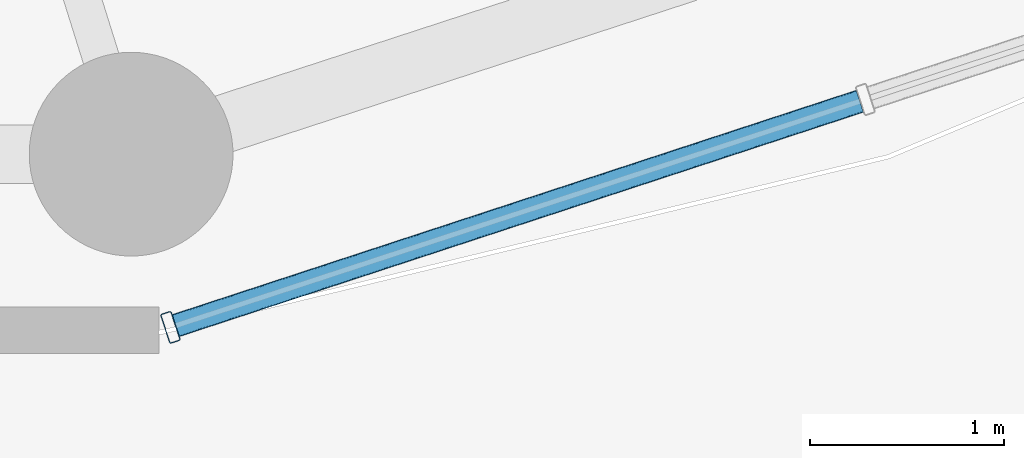
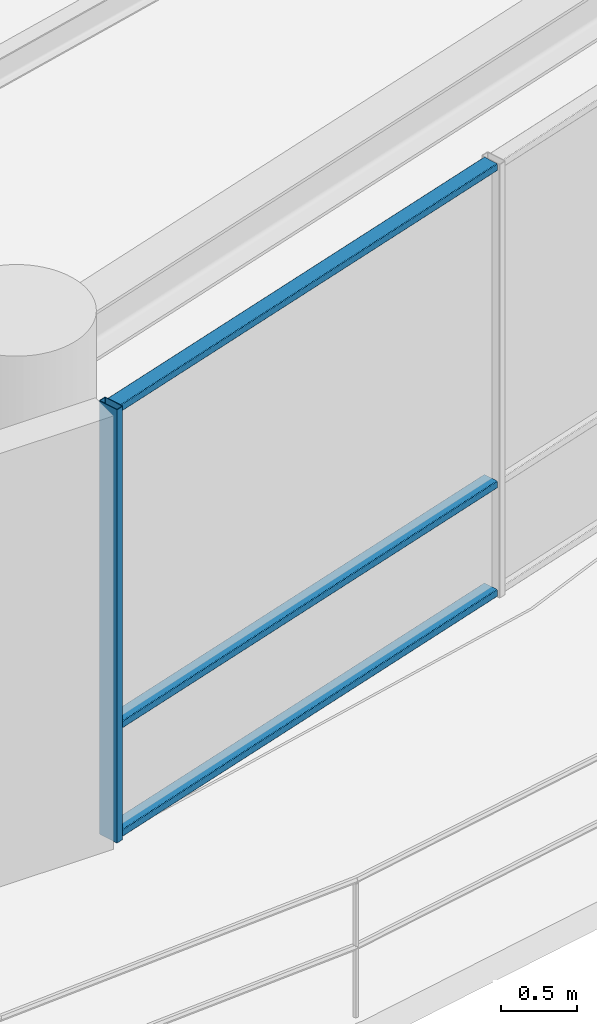
# One storey, part 4 of 30: 4 members, 1 element without a shape of its own.
"""IFC4 building model written with IfcOpenShell, lengths in metres."""

from ifc_helpers import new_model, si_unit, direction, frame, origin, origin_2d, place, context, subcontext, project, spatial, hollow_rectangle, extrude, material, layer, layer_set, material_profile, profile_set, type_object, element, aggregate, save


model = new_model("IFC4")

# Units and contexts
model_context = context("Model", 3, precision=1e-05, world=origin(), true_north=direction((0.0, 1.0)))
body_context = subcontext(model_context, "Body", "Model", "MODEL_VIEW")
ifc_project = project(units=[si_unit("LENGTHUNIT", "METRE"), si_unit("AREAUNIT", "SQUARE_METRE"), si_unit("VOLUMEUNIT", "CUBIC_METRE"), si_unit("PLANEANGLEUNIT", "RADIAN"), si_unit("MASSUNIT", "GRAM", prefix="KILO")], contexts=[model_context])

# Site, building, storey
site_placement = place(None, origin())
site = spatial("IfcSite", under=ifc_project, at=site_placement, CompositionType="ELEMENT")
building_placement = place(site_placement, origin())
building = spatial("IfcBuilding", under=site, at=building_placement, Name="Kelanora Arch Commons", CompositionType="ELEMENT")
storey_placement = place(building_placement, frame((0.0, 0.0, 211.949951171875)))
storey = spatial("IfcBuildingStorey", under=building, at=storey_placement, Name="L54", CompositionType="ELEMENT", Elevation=211.949951171875)

# Curtain wall, members
ifc_material_1 = material(Name="Terracotta ceramic-fritted low-E glass and aluminium", Category="masonry")
ifc_layer = layer(ifc_material_1, 0.175048828125)
ifc_layer_set = layer_set([ifc_layer], Name="Terracotta ceramic-fritted low-E glass and aluminium")
curtain_wall_type = type_object("IfcCurtainWallType", Name="CW-SYS-02", PredefinedType="NOTDEFINED", material=ifc_layer_set)
curtain_wall_placement = place(storey_placement, origin())
curtain_wall = element("IfcCurtainWall", 1, at=curtain_wall_placement, inside=storey, type_object=curtain_wall_type, Name="Unitised Curtain Wall L54-B14", PredefinedType="NOTDEFINED")
ifc_material_2 = material(Name="Powder-coated aluminium terracotta", Category="masonry")
ifc_material_profile_1 = material_profile(ifc_material_2, hollow_rectangle(XDim=0.159912109375, YDim=0.06005859375, WallThickness=0.0048828125, InnerFilletRadius=0.0048828125, OuterFilletRadius=0.010009765625, at=origin_2d()), Name="CWM160x60")
ifc_profile_set_1 = profile_set([ifc_material_profile_1], Name="Powder-coated aluminium terracotta")
member_type_1 = type_object("IfcMemberType", Name="CWM-STD", PredefinedType="MULLION", material=ifc_profile_set_1)
member_1_placement = place(storey_placement, frame((77.897705078125, 38.31787109375, 0.0), z_axis=(0.0, 0.0, 1.0), x_axis=(-0.311582439059, 0.950219124029, 0.0)))
member_1 = element("IfcMember", 2, at=member_1_placement, type_object=member_type_1, Name="CW-02 mullion 1", PredefinedType="MULLION", context=body_context, shape_type="SweptSolid", body=[
    extrude(hollow_rectangle(XDim=0.159912109375, YDim=0.06005859375, WallThickness=0.0048828125, InnerFilletRadius=0.0048828125, OuterFilletRadius=0.010009765625, at=origin_2d()), origin(), (0.0, 0.0, 1.0), 3.47509765625),
])
ifc_material_profile_2 = material_profile(ifc_material_2, hollow_rectangle(XDim=0.1201171875, YDim=0.06005859375, WallThickness=0.0048828125, InnerFilletRadius=0.0048828125, OuterFilletRadius=0.010009765625, at=origin_2d()), Name="CWT120x60")
ifc_profile_set_2 = profile_set([ifc_material_profile_2], Name="Powder-coated aluminium terracotta")
member_type_2 = type_object("IfcMemberType", Name="CWT-STD", PredefinedType="USERDEFINED", material=ifc_profile_set_2)
member_2_placement = place(storey_placement, frame((77.92626953125, 38.3271484375, 0.030029296875), z_axis=(0.950206527055, 0.311620852867, 0.0), x_axis=(-0.311620852867, 0.950206527055, 0.0)))
member_2 = element("IfcMember", 3, at=member_2_placement, type_object=member_type_2, Name="CW-02 transom 1.1", ObjectType="TRANSOM", PredefinedType="USERDEFINED", context=body_context, shape_type="SweptSolid", body=[
    extrude(hollow_rectangle(XDim=0.1201171875, YDim=0.06005859375, WallThickness=0.0048828125, InnerFilletRadius=0.0048828125, OuterFilletRadius=0.010009765625, at=origin_2d()), origin(), (0.0, 0.0, 1.0), 3.707275390625),
])
member_3_placement = place(storey_placement, frame((77.92626953125, 38.3271484375, 0.900146484375), z_axis=(0.950206527055, 0.311620852867, 0.0), x_axis=(-0.311620852867, 0.950206527055, 0.0)))
member_3 = element("IfcMember", 4, at=member_3_placement, type_object=member_type_2, Name="CW-02 transom 1.2", ObjectType="TRANSOM", PredefinedType="USERDEFINED", context=body_context, shape_type="SweptSolid", body=[
    extrude(hollow_rectangle(XDim=0.1201171875, YDim=0.06005859375, WallThickness=0.0048828125, InnerFilletRadius=0.0048828125, OuterFilletRadius=0.010009765625, at=origin_2d()), origin(), (0.0, 0.0, 1.0), 3.707275390625),
])
member_4_placement = place(storey_placement, frame((77.92626953125, 38.3271484375, 3.445068359375), z_axis=(0.950206527055, 0.311620852867, 0.0), x_axis=(-0.311620852867, 0.950206527055, 0.0)))
member_4 = element("IfcMember", 5, at=member_4_placement, type_object=member_type_2, Name="CW-02 transom 1.3", ObjectType="TRANSOM", PredefinedType="USERDEFINED", context=body_context, shape_type="SweptSolid", body=[
    extrude(hollow_rectangle(XDim=0.1201171875, YDim=0.06005859375, WallThickness=0.0048828125, InnerFilletRadius=0.0048828125, OuterFilletRadius=0.010009765625, at=origin_2d()), origin(), (0.0, 0.0, 1.0), 3.707275390625),
])
aggregate(curtain_wall, [member_1, member_2, member_3, member_4])

save(model, "model.ifc")
